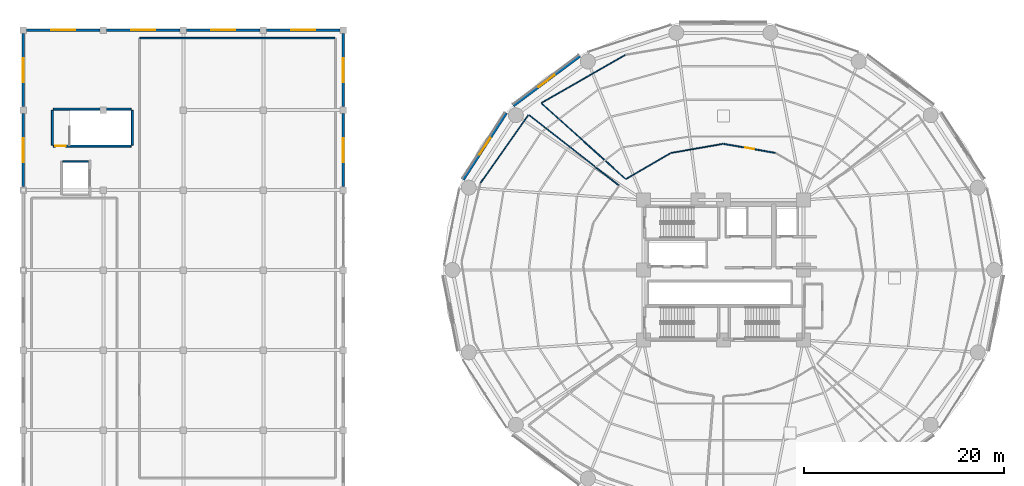
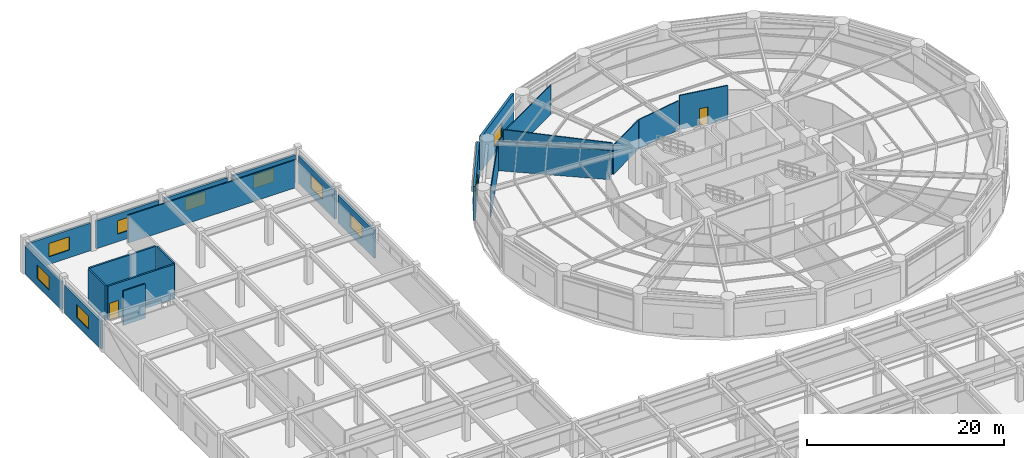
# One storey, part 40 of 46: 23 walls, 10 windows, 2 doors, 12 openings.
"""IFC4 building model written with IfcOpenShell, lengths in metres."""

from ifc_helpers import new_model, si_unit, direction, frame, frame_2d, origin, place, context, subcontext, project, spatial, rectangle, extrude, material, layer, layer_set, type_object, element, fill, save


model = new_model("IFC4")

# Units and contexts
model_context = context("Model", 3, precision=1e-05, world=origin(), true_north=direction((0.0, 1.0)))
body_context = subcontext(model_context, "Body", "Model", "MODEL_VIEW")
ifc_project = project(units=[si_unit("LENGTHUNIT", "METRE"), si_unit("AREAUNIT", "SQUARE_METRE"), si_unit("VOLUMEUNIT", "CUBIC_METRE"), si_unit("PLANEANGLEUNIT", "RADIAN"), si_unit("MASSUNIT", "GRAM", prefix="KILO")], contexts=[model_context])

# Site, building, storey
site_placement = place(None, origin())
site = spatial("IfcSite", under=ifc_project, at=site_placement, CompositionType="ELEMENT")
building_placement = place(site_placement, origin())
building = spatial("IfcBuilding", under=site, at=building_placement, Name="Kelanora Arch Commons", CompositionType="ELEMENT")
storey_placement = place(building_placement, frame((0.0, 0.0, 18.0)))
storey = spatial("IfcBuildingStorey", under=building, at=storey_placement, Name="L04", CompositionType="ELEMENT", Elevation=18.0)

# Walls
ifc_material_1 = material(Name="Autoclaved aerated concrete blockwork with fire plaster", Category="masonry")
ifc_layer_1 = layer(ifc_material_1, 0.14990234375)
ifc_layer_set_1 = layer_set([ifc_layer_1], Name="Autoclaved aerated concrete blockwork with fire plaster")
wall_type_1 = type_object("IfcWallType", Name="W-COMP-150", PredefinedType="PARTITIONING", material=ifc_layer_set_1)
wall_1_placement = place(storey_placement, frame((7.9599609375, 68.860107421875, 0.0), z_axis=(0.0, 0.0, 1.0), x_axis=(1.0, 0.0, 0.0)))
element("IfcWall", 1, at=wall_1_placement, inside=storey, type_object=wall_type_1, Name="Market West Lift Shaft North Wall L04", PredefinedType="PARTITIONING", context=body_context, shape_type="SweptSolid", body=[
    extrude(rectangle(XDim=2.56005859375, YDim=0.14990234375, at=frame_2d((1.280029296875, 0.0))), origin(), (0.0, 0.0, 1.0), 4.25),
])
wall_2_placement = place(storey_placement, frame((35.159912109375, 81.199951171875, 0.0), z_axis=(0.0, 0.0, 1.0), x_axis=(-1.0, 0.0, 0.0)))
element("IfcWall", 2, at=wall_2_placement, inside=storey, type_object=wall_type_1, Name="Market Conservatory Cold Room and Plant Store L04 Enclosure Partition 3", PredefinedType="PARTITIONING", context=body_context, shape_type="SweptSolid", body=[
    extrude(rectangle(XDim=19.5, YDim=0.14990234375, at=frame_2d((9.75, 0.0))), origin(), (0.0, 0.0, 1.0), 3.445068359375),
])

# Wall, opening, window
ifc_material_2 = material(Name="Precast concrete C40/50 with terracotta ceramic cladding", Category="masonry")
ifc_layer_2 = layer(ifc_material_2, 0.25)
ifc_layer_set_2 = layer_set([ifc_layer_2], Name="Precast concrete C40/50 with terracotta ceramic cladding")
wall_type_2 = type_object("IfcWallType", Name="W-EXT-MKT", PredefinedType="SOLIDWALL", material=ifc_layer_set_2)
wall_3_placement = place(storey_placement, frame((36.0, 66.330078125, 0.0), z_axis=(0.0, 0.0, 1.0), x_axis=(0.0, 1.0, 0.0)))
wall_3 = element("IfcWall", 3, at=wall_3_placement, inside=storey, type_object=wall_type_2, Name="Market Hall Exterior Wall L04-28", PredefinedType="SOLIDWALL", context=body_context, shape_type="SweptSolid", body=[
    extrude(rectangle(XDim=7.33984375, YDim=0.25, at=frame_2d((3.669921875, 0.0))), origin(), (0.0, 0.0, 1.0), 3.43994140625),
])
opening_1_placement = place(wall_3_placement, frame((2.469970703125, 0.0, 0.949951171875)))
opening_1 = element("IfcOpeningElement", 4, at=opening_1_placement, cuts=wall_3, Name="Opening WN-03", PredefinedType="OPENING", context=body_context, shape_type="SweptSolid", body=[
    extrude(rectangle(XDim=2.39990234375, YDim=1.64990234375, at=frame_2d((1.199951171875, 0.824951171875))), frame((0.0, 0.135009765625, 0.0), z_axis=(0.0, -1.0, 0.0), x_axis=(1.0, 0.0, 0.0)), (0.0, 0.0, 1.0), 0.27001953125),
])
ifc_material_3 = material(Name="Bronze-terracotta aluminium monsoon clerestory window", Category="masonry")
window_type_1 = type_object("IfcWindowType", Name="WIN-MKT-24", PartitioningType="TRIPLE_PANEL_VERTICAL", PredefinedType="WINDOW", material=ifc_material_3)
window_1_placement = place(opening_1_placement, origin())
window_1 = element("IfcWindow", 5, at=window_1_placement, inside=storey, type_object=window_type_1, Name="Market Hall Clerestory Window L04-28", OverallHeight=1.64990234375, OverallWidth=2.39990234375, PartitioningType="SINGLE_PANEL", PredefinedType="WINDOW", context=body_context, shape_type="SweptSolid", body=[
    extrude(rectangle(XDim=2.39990234375, YDim=1.64990234375, at=frame_2d((1.199951171875, 0.824951171875))), frame((0.0, 0.030029296875, 0.0), z_axis=(0.0, -1.0, 0.0), x_axis=(1.0, 0.0, 0.0)), (0.0, 0.0, 1.0), 0.06005859375),
])
fill(opening_1, window_1)

wall_4_placement = place(storey_placement, frame((36.0, 74.330078125, 0.0), z_axis=(0.0, 0.0, 1.0), x_axis=(0.0, 1.0, 0.0)))
wall_4 = element("IfcWall", 6, at=wall_4_placement, inside=storey, type_object=wall_type_2, Name="Market Hall Exterior Wall L04-29", PredefinedType="SOLIDWALL", context=body_context, shape_type="SweptSolid", body=[
    extrude(rectangle(XDim=7.33984375, YDim=0.25, at=frame_2d((3.669921875, 0.0))), origin(), (0.0, 0.0, 1.0), 3.43994140625),
])
opening_2_placement = place(wall_4_placement, frame((2.469970703125, 0.0, 0.949951171875)))
opening_2 = element("IfcOpeningElement", 7, at=opening_2_placement, cuts=wall_4, Name="Opening WN-03", PredefinedType="OPENING", context=body_context, shape_type="SweptSolid", body=[
    extrude(rectangle(XDim=2.39990234375, YDim=1.64990234375, at=frame_2d((1.199951171875, 0.824951171875))), frame((0.0, 0.135009765625, 0.0), z_axis=(0.0, -1.0, 0.0), x_axis=(1.0, 0.0, 0.0)), (0.0, 0.0, 1.0), 0.27001953125),
])
window_2_placement = place(opening_2_placement, origin())
window_2 = element("IfcWindow", 8, at=window_2_placement, inside=storey, type_object=window_type_1, Name="Market Hall Clerestory Window L04-29", OverallHeight=1.64990234375, OverallWidth=2.39990234375, PartitioningType="SINGLE_PANEL", PredefinedType="WINDOW", context=body_context, shape_type="SweptSolid", body=[
    extrude(rectangle(XDim=2.39990234375, YDim=1.64990234375, at=frame_2d((1.199951171875, 0.824951171875))), frame((0.0, 0.030029296875, 0.0), z_axis=(0.0, -1.0, 0.0), x_axis=(1.0, 0.0, 0.0)), (0.0, 0.0, 1.0), 0.06005859375),
])
fill(opening_2, window_2)

wall_5_placement = place(storey_placement, frame((35.669921875, 82.0, 0.0), z_axis=(0.0, 0.0, 1.0), x_axis=(-1.0, 0.0, 0.0)))
wall_5 = element("IfcWall", 9, at=wall_5_placement, inside=storey, type_object=wall_type_2, Name="Market Hall Exterior Wall L04-30", PredefinedType="SOLIDWALL", context=body_context, shape_type="SweptSolid", body=[
    extrude(rectangle(XDim=7.33984375, YDim=0.25, at=frame_2d((3.669921875, 0.0))), origin(), (0.0, 0.0, 1.0), 3.43994140625),
])
opening_3_placement = place(wall_5_placement, frame((2.469970703125, 0.0, 0.949951171875)))
opening_3 = element("IfcOpeningElement", 10, at=opening_3_placement, cuts=wall_5, Name="Opening WN-03", PredefinedType="OPENING", context=body_context, shape_type="SweptSolid", body=[
    extrude(rectangle(XDim=2.39990234375, YDim=1.64990234375, at=frame_2d((1.199951171875, 0.824951171875))), frame((0.0, 0.135009765625, 0.0), z_axis=(0.0, -1.0, 0.0), x_axis=(1.0, 0.0, 0.0)), (0.0, 0.0, 1.0), 0.27001953125),
])
window_3_placement = place(opening_3_placement, origin())
window_3 = element("IfcWindow", 11, at=window_3_placement, inside=storey, type_object=window_type_1, Name="Market Hall Clerestory Window L04-30", OverallHeight=1.64990234375, OverallWidth=2.39990234375, PartitioningType="SINGLE_PANEL", PredefinedType="WINDOW", context=body_context, shape_type="SweptSolid", body=[
    extrude(rectangle(XDim=2.39990234375, YDim=1.64990234375, at=frame_2d((1.199951171875, 0.824951171875))), frame((0.0, 0.030029296875, 0.0), z_axis=(0.0, -1.0, 0.0), x_axis=(1.0, 0.0, 0.0)), (0.0, 0.0, 1.0), 0.06005859375),
])
fill(opening_3, window_3)

wall_6_placement = place(storey_placement, frame((27.669921875, 82.0, 0.0), z_axis=(0.0, 0.0, 1.0), x_axis=(-1.0, 0.0, 0.0)))
wall_6 = element("IfcWall", 12, at=wall_6_placement, inside=storey, type_object=wall_type_2, Name="Market Hall Exterior Wall L04-31", PredefinedType="SOLIDWALL", context=body_context, shape_type="SweptSolid", body=[
    extrude(rectangle(XDim=7.33984375, YDim=0.25, at=frame_2d((3.669921875, 0.0))), origin(), (0.0, 0.0, 1.0), 3.43994140625),
])
opening_4_placement = place(wall_6_placement, frame((2.469970703125, 0.0, 0.949951171875)))
opening_4 = element("IfcOpeningElement", 13, at=opening_4_placement, cuts=wall_6, Name="Opening WN-03", PredefinedType="OPENING", context=body_context, shape_type="SweptSolid", body=[
    extrude(rectangle(XDim=2.39990234375, YDim=1.64990234375, at=frame_2d((1.199951171875, 0.824951171875))), frame((0.0, 0.135009765625, 0.0), z_axis=(0.0, -1.0, 0.0), x_axis=(1.0, 0.0, 0.0)), (0.0, 0.0, 1.0), 0.27001953125),
])
window_4_placement = place(opening_4_placement, origin())
window_4 = element("IfcWindow", 14, at=window_4_placement, inside=storey, type_object=window_type_1, Name="Market Hall Clerestory Window L04-31", OverallHeight=1.64990234375, OverallWidth=2.39990234375, PartitioningType="SINGLE_PANEL", PredefinedType="WINDOW", context=body_context, shape_type="SweptSolid", body=[
    extrude(rectangle(XDim=2.39990234375, YDim=1.64990234375, at=frame_2d((1.199951171875, 0.824951171875))), frame((0.0, 0.030029296875, 0.0), z_axis=(0.0, -1.0, 0.0), x_axis=(1.0, 0.0, 0.0)), (0.0, 0.0, 1.0), 0.06005859375),
])
fill(opening_4, window_4)

wall_7_placement = place(storey_placement, frame((19.669921875, 82.0, 0.0), z_axis=(0.0, 0.0, 1.0), x_axis=(-1.0, 0.0, 0.0)))
wall_7 = element("IfcWall", 15, at=wall_7_placement, inside=storey, type_object=wall_type_2, Name="Market Hall Exterior Wall L04-32", PredefinedType="SOLIDWALL", context=body_context, shape_type="SweptSolid", body=[
    extrude(rectangle(XDim=7.33984375, YDim=0.25, at=frame_2d((3.669921875, 0.0))), origin(), (0.0, 0.0, 1.0), 3.43994140625),
])
opening_5_placement = place(wall_7_placement, frame((2.469970703125, 0.0, 0.949951171875)))
opening_5 = element("IfcOpeningElement", 16, at=opening_5_placement, cuts=wall_7, Name="Opening WN-03", PredefinedType="OPENING", context=body_context, shape_type="SweptSolid", body=[
    extrude(rectangle(XDim=2.39990234375, YDim=1.64990234375, at=frame_2d((1.199951171875, 0.824951171875))), frame((0.0, 0.135009765625, 0.0), z_axis=(0.0, -1.0, 0.0), x_axis=(1.0, 0.0, 0.0)), (0.0, 0.0, 1.0), 0.27001953125),
])
window_5_placement = place(opening_5_placement, origin())
window_5 = element("IfcWindow", 17, at=window_5_placement, inside=storey, type_object=window_type_1, Name="Market Hall Clerestory Window L04-32", OverallHeight=1.64990234375, OverallWidth=2.39990234375, PartitioningType="SINGLE_PANEL", PredefinedType="WINDOW", context=body_context, shape_type="SweptSolid", body=[
    extrude(rectangle(XDim=2.39990234375, YDim=1.64990234375, at=frame_2d((1.199951171875, 0.824951171875))), frame((0.0, 0.030029296875, 0.0), z_axis=(0.0, -1.0, 0.0), x_axis=(1.0, 0.0, 0.0)), (0.0, 0.0, 1.0), 0.06005859375),
])
fill(opening_5, window_5)

wall_8_placement = place(storey_placement, frame((11.669921875, 82.0, 0.0), z_axis=(0.0, 0.0, 1.0), x_axis=(-1.0, 0.0, 0.0)))
wall_8 = element("IfcWall", 18, at=wall_8_placement, inside=storey, type_object=wall_type_2, Name="Market Hall Exterior Wall L04-33", PredefinedType="SOLIDWALL", context=body_context, shape_type="SweptSolid", body=[
    extrude(rectangle(XDim=7.33984375, YDim=0.25, at=frame_2d((3.669921875, 0.0))), origin(), (0.0, 0.0, 1.0), 3.43994140625),
])
opening_6_placement = place(wall_8_placement, frame((2.469970703125, 0.0, 0.949951171875)))
opening_6 = element("IfcOpeningElement", 19, at=opening_6_placement, cuts=wall_8, Name="Opening WN-03", PredefinedType="OPENING", context=body_context, shape_type="SweptSolid", body=[
    extrude(rectangle(XDim=2.39990234375, YDim=1.64990234375, at=frame_2d((1.199951171875, 0.824951171875))), frame((0.0, 0.135009765625, 0.0), z_axis=(0.0, -1.0, 0.0), x_axis=(1.0, 0.0, 0.0)), (0.0, 0.0, 1.0), 0.27001953125),
])
window_6_placement = place(opening_6_placement, origin())
window_6 = element("IfcWindow", 20, at=window_6_placement, inside=storey, type_object=window_type_1, Name="Market Hall Clerestory Window L04-33", OverallHeight=1.64990234375, OverallWidth=2.39990234375, PartitioningType="SINGLE_PANEL", PredefinedType="WINDOW", context=body_context, shape_type="SweptSolid", body=[
    extrude(rectangle(XDim=2.39990234375, YDim=1.64990234375, at=frame_2d((1.199951171875, 0.824951171875))), frame((0.0, 0.030029296875, 0.0), z_axis=(0.0, -1.0, 0.0), x_axis=(1.0, 0.0, 0.0)), (0.0, 0.0, 1.0), 0.06005859375),
])
fill(opening_6, window_6)

wall_9_placement = place(storey_placement, frame((4.0, 81.669921875, 0.0), z_axis=(0.0, 0.0, 1.0), x_axis=(0.0, -1.0, 0.0)))
wall_9 = element("IfcWall", 21, at=wall_9_placement, inside=storey, type_object=wall_type_2, Name="Market Hall Exterior Wall L04-34", PredefinedType="SOLIDWALL", context=body_context, shape_type="SweptSolid", body=[
    extrude(rectangle(XDim=7.33984375, YDim=0.25, at=frame_2d((3.669921875, 0.0))), origin(), (0.0, 0.0, 1.0), 3.43994140625),
])
opening_7_placement = place(wall_9_placement, frame((2.469970703125, 0.0, 0.949951171875)))
opening_7 = element("IfcOpeningElement", 22, at=opening_7_placement, cuts=wall_9, Name="Opening WN-03", PredefinedType="OPENING", context=body_context, shape_type="SweptSolid", body=[
    extrude(rectangle(XDim=2.39990234375, YDim=1.64990234375, at=frame_2d((1.199951171875, 0.824951171875))), frame((0.0, 0.135009765625, 0.0), z_axis=(0.0, -1.0, 0.0), x_axis=(1.0, 0.0, 0.0)), (0.0, 0.0, 1.0), 0.27001953125),
])
window_7_placement = place(opening_7_placement, origin())
window_7 = element("IfcWindow", 23, at=window_7_placement, inside=storey, type_object=window_type_1, Name="Market Hall Clerestory Window L04-34", OverallHeight=1.64990234375, OverallWidth=2.39990234375, PartitioningType="SINGLE_PANEL", PredefinedType="WINDOW", context=body_context, shape_type="SweptSolid", body=[
    extrude(rectangle(XDim=2.39990234375, YDim=1.64990234375, at=frame_2d((1.199951171875, 0.824951171875))), frame((0.0, 0.030029296875, 0.0), z_axis=(0.0, -1.0, 0.0), x_axis=(1.0, 0.0, 0.0)), (0.0, 0.0, 1.0), 0.06005859375),
])
fill(opening_7, window_7)

wall_10_placement = place(storey_placement, frame((4.0, 73.669921875, 0.0), z_axis=(0.0, 0.0, 1.0), x_axis=(0.0, -1.0, 0.0)))
wall_10 = element("IfcWall", 24, at=wall_10_placement, inside=storey, type_object=wall_type_2, Name="Market Hall Exterior Wall L04-35", PredefinedType="SOLIDWALL", context=body_context, shape_type="SweptSolid", body=[
    extrude(rectangle(XDim=7.33984375, YDim=0.25, at=frame_2d((3.669921875, 0.0))), origin(), (0.0, 0.0, 1.0), 3.43994140625),
])
opening_8_placement = place(wall_10_placement, frame((2.469970703125, 0.0, 0.949951171875)))
opening_8 = element("IfcOpeningElement", 25, at=opening_8_placement, cuts=wall_10, Name="Opening WN-03", PredefinedType="OPENING", context=body_context, shape_type="SweptSolid", body=[
    extrude(rectangle(XDim=2.39990234375, YDim=1.64990234375, at=frame_2d((1.199951171875, 0.824951171875))), frame((0.0, 0.135009765625, 0.0), z_axis=(0.0, -1.0, 0.0), x_axis=(1.0, 0.0, 0.0)), (0.0, 0.0, 1.0), 0.27001953125),
])
window_8_placement = place(opening_8_placement, origin())
window_8 = element("IfcWindow", 26, at=window_8_placement, inside=storey, type_object=window_type_1, Name="Market Hall Clerestory Window L04-35", OverallHeight=1.64990234375, OverallWidth=2.39990234375, PartitioningType="SINGLE_PANEL", PredefinedType="WINDOW", context=body_context, shape_type="SweptSolid", body=[
    extrude(rectangle(XDim=2.39990234375, YDim=1.64990234375, at=frame_2d((1.199951171875, 0.824951171875))), frame((0.0, 0.030029296875, 0.0), z_axis=(0.0, -1.0, 0.0), x_axis=(1.0, 0.0, 0.0)), (0.0, 0.0, 1.0), 0.06005859375),
])
fill(opening_8, window_8)

ifc_material_4 = material(Name="Precast concrete C40/50 with terracotta rainscreen", Category="masonry")
ifc_layer_3 = layer(ifc_material_4, 0.260009765625)
ifc_layer_set_3 = layer_set([ifc_layer_3], Name="Precast concrete C40/50 with terracotta rainscreen")
wall_type_3 = type_object("IfcWallType", Name="W-EXT-TC", PredefinedType="SOLIDWALL", material=ifc_layer_set_3)
wall_11_placement = place(storey_placement, frame((59.651123046875, 79.38916015625, 0.0), z_axis=(0.0, 0.0, 1.0), x_axis=(-0.80030733173, -0.599590005569, 0.0)))
wall_11 = element("IfcWall", 27, at=wall_11_placement, inside=storey, type_object=wall_type_3, Name="Terracotta Exterior Wall L04-B06", PredefinedType="SOLIDWALL", context=body_context, shape_type="SweptSolid", body=[
    extrude(rectangle(XDim=8.29052734375, YDim=0.260009765625, at=frame_2d((4.145263671875, 0.0))), origin(), (0.0, 0.0, 1.0), 4.22509765625),
])
opening_9_placement = place(wall_11_placement, frame((3.14501953125, 0.0, 0.85009765625)))
opening_9 = element("IfcOpeningElement", 28, at=opening_9_placement, cuts=wall_11, Name="Opening WN-05", PredefinedType="OPENING", context=body_context, shape_type="SweptSolid", body=[
    extrude(rectangle(XDim=2.0, YDim=1.75, at=frame_2d((1.0, 0.875))), frame((0.0, 0.14013671875, 0.0), z_axis=(0.0, -1.0, 0.0), x_axis=(1.0, 0.0, 0.0)), (0.0, 0.0, 1.0), 0.280029296875),
])
ifc_material_5 = material(Name="Terracotta-anodised aluminium podium window", Category="masonry")
window_type_2 = type_object("IfcWindowType", Name="WIN-POD-20", PartitioningType="TRIPLE_PANEL_VERTICAL", PredefinedType="WINDOW", material=ifc_material_5)
window_9_placement = place(opening_9_placement, origin())
window_9 = element("IfcWindow", 29, at=window_9_placement, inside=storey, type_object=window_type_2, Name="Podium Window L04-B06", OverallHeight=1.75, OverallWidth=2.0, PartitioningType="SINGLE_PANEL", PredefinedType="WINDOW", context=body_context, shape_type="SweptSolid", body=[
    extrude(rectangle(XDim=2.0, YDim=1.75, at=frame_2d((1.0, 0.875))), frame((0.0, 0.030029296875, 0.0), z_axis=(0.0, -1.0, 0.0), x_axis=(1.0, 0.0, 0.0)), (0.0, 0.0, 1.0), 0.06005859375),
])
fill(opening_9, window_9)

wall_12_placement = place(storey_placement, frame((52.310791015625, 73.698486328125, 0.0), z_axis=(0.0, 0.0, 1.0), x_axis=(-0.543005114258, -0.839729388488, 0.0)))
wall_12 = element("IfcWall", 30, at=wall_12_placement, inside=storey, type_object=wall_type_3, Name="Terracotta Exterior Wall L04-B07", PredefinedType="SOLIDWALL", context=body_context, shape_type="SweptSolid", body=[
    extrude(rectangle(XDim=7.9375, YDim=0.260009765625, at=frame_2d((3.96875, 0.0))), origin(), (0.0, 0.0, 1.0), 4.22509765625),
])
opening_10_placement = place(wall_12_placement, frame((2.968994140625, 0.0, 0.85009765625)))
opening_10 = element("IfcOpeningElement", 31, at=opening_10_placement, cuts=wall_12, Name="Opening WN-05", PredefinedType="OPENING", context=body_context, shape_type="SweptSolid", body=[
    extrude(rectangle(XDim=2.0, YDim=1.75, at=frame_2d((1.0, 0.875))), frame((0.0, 0.14013671875, 0.0), z_axis=(0.0, -1.0, 0.0), x_axis=(1.0, 0.0, 0.0)), (0.0, 0.0, 1.0), 0.280029296875),
])
window_10_placement = place(opening_10_placement, origin())
window_10 = element("IfcWindow", 32, at=window_10_placement, inside=storey, type_object=window_type_2, Name="Podium Window L04-B07", OverallHeight=1.75, OverallWidth=2.0, PartitioningType="SINGLE_PANEL", PredefinedType="WINDOW", context=body_context, shape_type="SweptSolid", body=[
    extrude(rectangle(XDim=2.0, YDim=1.75, at=frame_2d((1.0, 0.875))), frame((0.0, 0.030029296875, 0.0), z_axis=(0.0, -1.0, 0.0), x_axis=(1.0, 0.0, 0.0)), (0.0, 0.0, 1.0), 0.06005859375),
])
fill(opening_10, window_10)

# Walls
ifc_material_6 = material(Name="Lightweight fire-rated acoustic stud partition")
ifc_layer_4 = layer(ifc_material_6, 0.10009765625)
ifc_layer_set_4 = layer_set([ifc_layer_4], Name="Lightweight fire-rated acoustic stud partition")
wall_type_4 = type_object("IfcWallType", Name="W-PART-100", PredefinedType="PARTITIONING", material=ifc_layer_set_4)
wall_13_placement = place(storey_placement, frame((73.960693359375, 70.613037109375, 0.0), z_axis=(0.0, 0.0, 1.0), x_axis=(-0.985040332209, -0.172323950519, 0.0)))
element("IfcWall", 33, at=wall_13_placement, inside=storey, type_object=wall_type_4, Name="Shared Student Study Commons L04-B Enclosure Partition 3", PredefinedType="PARTITIONING", context=body_context, shape_type="SweptSolid", body=[
    extrude(rectangle(XDim=5.251953125, YDim=0.10009765625, at=frame_2d((2.6259765625, 0.0))), origin(), (0.0, 0.0, 1.0), 3.625),
])
wall_14_placement = place(storey_placement, frame((68.71337890625, 69.680908203125, 0.0), z_axis=(0.0, 0.0, 1.0), x_axis=(-0.863300951282, -0.504689476327, 0.0)))
element("IfcWall", 34, at=wall_14_placement, inside=storey, type_object=wall_type_4, Name="Shared Student Study Commons L04-B Enclosure Partition 4", PredefinedType="PARTITIONING", context=body_context, shape_type="SweptSolid", body=[
    extrude(rectangle(XDim=5.117431640625, YDim=0.10009765625, at=frame_2d((2.55859375, 0.0))), origin(), (0.0, 0.0, 1.0), 3.625),
])
wall_15_placement = place(storey_placement, frame((64.231201171875, 67.104736328125, 0.0), z_axis=(0.0, 0.0, 1.0), x_axis=(-0.743473519906, 0.668765373803, 0.0)))
element("IfcWall", 35, at=wall_15_placement, inside=storey, type_object=wall_type_4, Name="Shared Student Study Commons L04-B Enclosure Partition 5", PredefinedType="PARTITIONING", context=body_context, shape_type="SweptSolid", body=[
    extrude(rectangle(XDim=11.300537109375, YDim=0.10009765625, at=frame_2d((5.650390625, 0.0))), origin(), (0.0, 0.0, 1.0), 3.925048828125),
])
wall_16_placement = place(storey_placement, frame((55.834716796875, 74.708984375, 0.0), z_axis=(0.0, 0.0, 1.0), x_axis=(0.866874132317, 0.498527069194, 0.0)))
element("IfcWall", 36, at=wall_16_placement, inside=storey, type_object=wall_type_4, Name="Shared Student Study Commons L04-B Enclosure Partition 6", PredefinedType="PARTITIONING", context=body_context, shape_type="SweptSolid", body=[
    extrude(rectangle(XDim=9.5927734375, YDim=0.10009765625, at=frame_2d((4.79638671875, 0.0))), origin(), (0.0, 0.0, 1.0), 3.625),
])
wall_17_placement = place(storey_placement, frame((49.731201171875, 66.7236328125, 0.0), z_axis=(0.0, 0.0, 1.0), x_axis=(0.576563997372, 0.817051991573, 0.0)))
element("IfcWall", 37, at=wall_17_placement, inside=storey, type_object=wall_type_4, Name="Student Laundromat and Fitness Studio L04-C Enclosure Partition 9", PredefinedType="PARTITIONING", context=body_context, shape_type="SweptSolid", body=[
    extrude(rectangle(XDim=8.282958984375, YDim=0.10009765625, at=frame_2d((4.1416015625, 0.0))), origin(), (0.0, 0.0, 1.0), 3.625),
])
wall_18_placement = place(storey_placement, frame((54.5615234375, 73.49951171875, 0.0), z_axis=(0.0, 0.0, 1.0), x_axis=(0.787637262368, -0.616139223657, 0.0)))
element("IfcWall", 38, at=wall_18_placement, inside=storey, type_object=wall_type_4, Name="Student Laundromat and Fitness Studio L04-C Enclosure Partition 10", PredefinedType="PARTITIONING", context=body_context, shape_type="SweptSolid", body=[
    extrude(rectangle(XDim=11.411376953125, YDim=0.10009765625, at=frame_2d((5.70556640625, 0.0))), origin(), (0.0, 0.0, 1.0), 3.625),
])

# Wall, opening, door
ifc_material_7 = material(Name="Acoustic twin-stud fire-rated gypsum partition")
ifc_layer_5 = layer(ifc_material_7, 0.1201171875)
ifc_layer_set_5 = layer_set([ifc_layer_5], Name="Acoustic twin-stud fire-rated gypsum partition")
wall_type_5 = type_object("IfcWallType", Name="W-PART-120", PredefinedType="PARTITIONING", material=ifc_layer_set_5)
wall_19_placement = place(storey_placement, frame((79.19287109375, 69.711181640625, 0.0), z_axis=(0.0, 0.0, 1.0), x_axis=(-0.985029671739, 0.172384876926, 0.0)))
wall_19 = element("IfcWall", 39, at=wall_19_placement, inside=storey, type_object=wall_type_5, Name="Shared Student Study Commons L04-B Entry Partition", PredefinedType="PARTITIONING", context=body_context, shape_type="SweptSolid", body=[
    extrude(rectangle(XDim=5.2119140625, YDim=0.1201171875, at=frame_2d((2.60595703125, 0.0))), origin(), (0.0, 0.0, 1.0), 4.22998046875),
])
opening_11_placement = place(wall_19_placement, frame((2.156005859375, 0.0, 0.0)))
opening_11 = element("IfcOpeningElement", 40, at=opening_11_placement, cuts=wall_19, Name="Opening D-RM1", PredefinedType="OPENING", context=body_context, shape_type="SweptSolid", body=[
    extrude(rectangle(XDim=0.89990234375, YDim=2.080078125, at=frame_2d((0.449951171875, 1.0400390625))), frame((0.0, 0.070068359375, 0.0), z_axis=(0.0, -1.0, 0.0), x_axis=(1.0, 0.0, 0.0)), (0.0, 0.0, 1.0), 0.14013671875),
])
ifc_material_8 = material(Name="Acoustic fire-rated timber study and lounge door", Category="wood")
door_type_1 = type_object("IfcDoorType", Name="D-ROOM-90", OperationType="NOTDEFINED", PredefinedType="DOOR", material=ifc_material_8)
door_1_placement = place(opening_11_placement, origin())
door_1 = element("IfcDoor", 41, at=door_1_placement, inside=storey, type_object=door_type_1, Name="Shared Student Study Commons L04-B Door", OperationType="SINGLE_SWING_RIGHT", OverallHeight=2.080078125, OverallWidth=0.89990234375, PredefinedType="DOOR", context=body_context, shape_type="SweptSolid", body=[
    extrude(rectangle(XDim=0.89990234375, YDim=2.080078125, at=frame_2d((0.449951171875, 1.0400390625))), frame((0.0, 0.02490234375, 0.0), z_axis=(0.0, -1.0, 0.0), x_axis=(1.0, 0.0, 0.0)), (0.0, 0.0, 1.0), 0.050048828125),
])
fill(opening_11, door_1)

ifc_material_9 = material(Name="Concrete C40/50", Category="concrete")
ifc_layer_6 = layer(ifc_material_9, 0.199951171875)
ifc_layer_set_6 = layer_set([ifc_layer_6], Name="Concrete C40/50")
wall_type_6 = type_object("IfcWallType", Name="W-STAIR-200", PredefinedType="SHEAR", material=ifc_layer_set_6)
wall_20_placement = place(storey_placement, frame((7.02001953125, 70.3798828125, 0.0), z_axis=(0.0, 0.0, 1.0), x_axis=(1.0, 0.0, 0.0)))
wall_20 = element("IfcWall", 42, at=wall_20_placement, inside=storey, type_object=wall_type_6, Name="Stair ST-M3 Shaft Wall S L04", PredefinedType="SHEAR", context=body_context, shape_type="SweptSolid", body=[
    extrude(rectangle(XDim=7.760009765625, YDim=0.199951171875, at=frame_2d((3.8798828125, 0.0))), origin(), (0.0, 0.0, 1.0), 4.260009765625),
])
opening_12_placement = place(wall_20_placement, frame((0.199951171875, 0.0, 0.0)))
opening_12 = element("IfcOpeningElement", 43, at=opening_12_placement, cuts=wall_20, Name="Opening D-ST1", PredefinedType="OPENING", context=body_context, shape_type="SweptSolid", body=[
    extrude(rectangle(XDim=1.050048828125, YDim=2.10009765625, at=frame_2d((0.52490234375, 1.050048828125))), frame((0.0, 0.10986328125, 0.0), z_axis=(0.0, -1.0, 0.0), x_axis=(1.0, 0.0, 0.0)), (0.0, 0.0, 1.0), 0.219970703125),
])
ifc_material_10 = material(Name="Steel fire-rated stairwell escape door", Category="steel")
door_type_2 = type_object("IfcDoorType", Name="D-STAIR-110", OperationType="NOTDEFINED", PredefinedType="DOOR", material=ifc_material_10)
door_2_placement = place(opening_12_placement, origin())
door_2 = element("IfcDoor", 44, at=door_2_placement, inside=storey, type_object=door_type_2, Name="Stair ST-M3 Escape Door L04", OperationType="SINGLE_SWING_LEFT", OverallHeight=2.10009765625, OverallWidth=1.050048828125, PredefinedType="DOOR", context=body_context, shape_type="SweptSolid", body=[
    extrude(rectangle(XDim=1.050048828125, YDim=2.10009765625, at=frame_2d((0.52490234375, 1.050048828125))), frame((0.0, 0.02490234375, 0.0), z_axis=(0.0, -1.0, 0.0), x_axis=(1.0, 0.0, 0.0)), (0.0, 0.0, 1.0), 0.050048828125),
])
fill(opening_12, door_2)

# Walls
wall_21_placement = place(storey_placement, frame((14.89990234375, 70.5, 0.0), z_axis=(0.0, 0.0, 1.0), x_axis=(0.0, 1.0, 0.0)))
element("IfcWall", 45, at=wall_21_placement, inside=storey, type_object=wall_type_6, Name="Stair ST-M3 Shaft Wall E L04", PredefinedType="SHEAR", context=body_context, shape_type="SweptSolid", body=[
    extrude(rectangle(XDim=3.469970703125, YDim=0.199951171875, at=frame_2d((1.73486328125, 0.0))), origin(), (0.0, 0.0, 1.0), 4.260009765625),
])
wall_22_placement = place(storey_placement, frame((14.780029296875, 74.090087890625, 0.0), z_axis=(0.0, 0.0, 1.0), x_axis=(-1.0, 0.0, 0.0)))
element("IfcWall", 46, at=wall_22_placement, inside=storey, type_object=wall_type_6, Name="Stair ST-M3 Shaft Wall N L04", PredefinedType="SHEAR", context=body_context, shape_type="SweptSolid", body=[
    extrude(rectangle(XDim=7.760009765625, YDim=0.199951171875, at=frame_2d((3.8798828125, 0.0))), origin(), (0.0, 0.0, 1.0), 4.260009765625),
])
wall_23_placement = place(storey_placement, frame((6.89990234375, 73.969970703125, 0.0), z_axis=(0.0, 0.0, 1.0), x_axis=(0.0, -1.0, 0.0)))
element("IfcWall", 47, at=wall_23_placement, inside=storey, type_object=wall_type_6, Name="Stair ST-M3 Shaft Wall W L04", PredefinedType="SHEAR", context=body_context, shape_type="SweptSolid", body=[
    extrude(rectangle(XDim=3.469970703125, YDim=0.199951171875, at=frame_2d((1.73486328125, 0.0))), origin(), (0.0, 0.0, 1.0), 4.260009765625),
])

save(model, "model.ifc")
